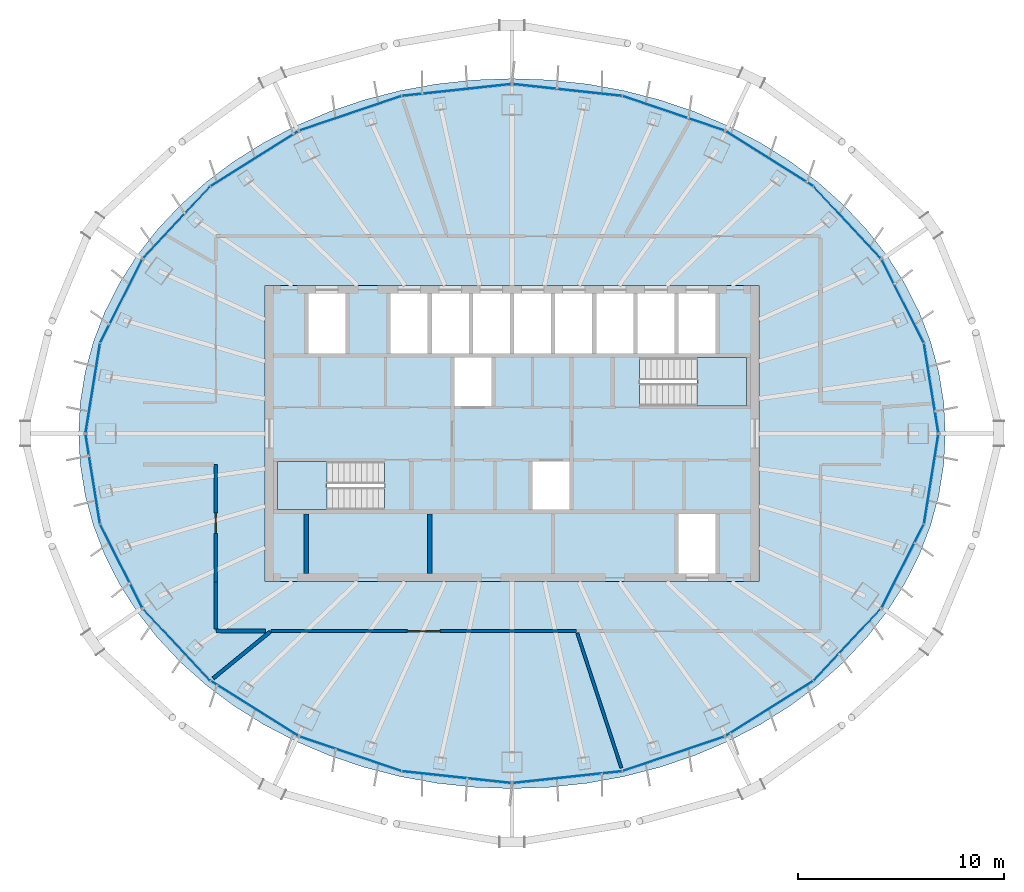
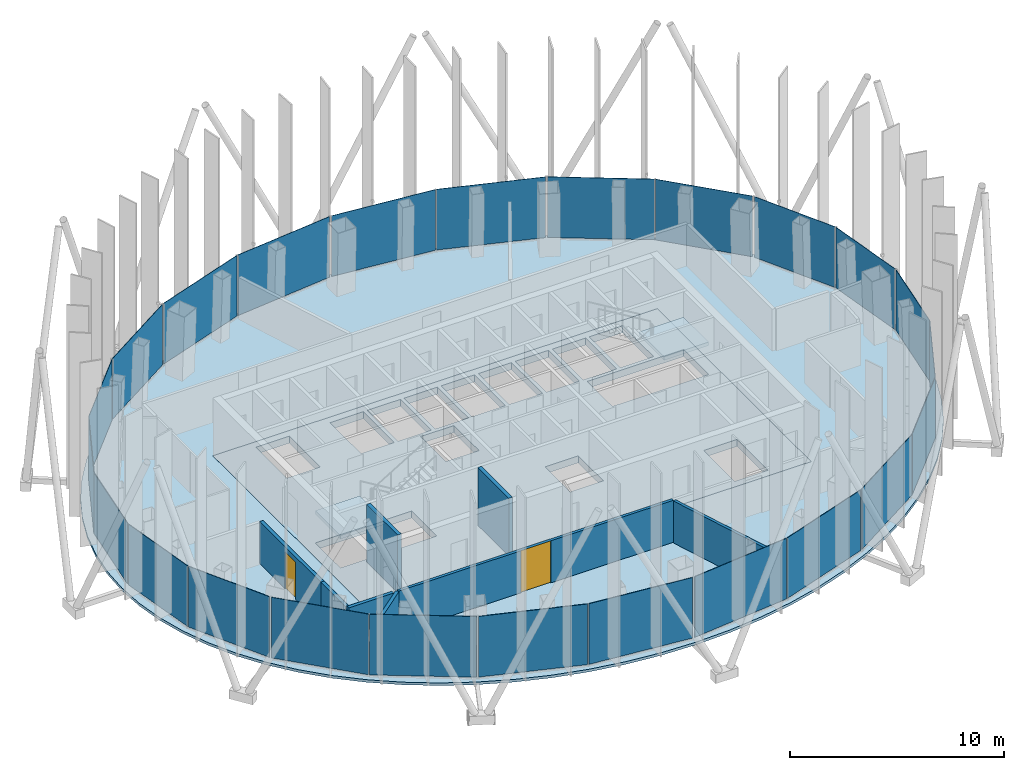
# One storey, part 8 of 19: 24 plates, 8 walls, 4 slabs, 2 doors, 2 openings, 14 elements without a shape of their own.
"""IFC4 building model written with IfcOpenShell, lengths in metres."""

from ifc_helpers import new_model, si_unit, direction, frame, frame_2d, origin, origin_2d, place, context, subcontext, project, spatial, polyline, rectangle, outline, extrude, material, layer, layer_set, type_object, element, fill, aggregate, save


model = new_model("IFC4")

# Units and contexts
model_context = context("Model", 3, precision=1e-05, world=origin(), true_north=direction((0.0, 1.0)))
body_context = subcontext(model_context, "Body", "Model", "MODEL_VIEW")
ifc_project = project(units=[si_unit("LENGTHUNIT", "METRE"), si_unit("AREAUNIT", "SQUARE_METRE"), si_unit("VOLUMEUNIT", "CUBIC_METRE"), si_unit("PLANEANGLEUNIT", "RADIAN"), si_unit("MASSUNIT", "GRAM", prefix="KILO")], contexts=[model_context])

# Site, building, storey
site_placement = place(None, origin())
site = spatial("IfcSite", under=ifc_project, at=site_placement, CompositionType="ELEMENT")
building_placement = place(site_placement, origin())
building = spatial("IfcBuilding", under=site, at=building_placement, Name="Siaravel Broadcast Tower", CompositionType="ELEMENT")
storey_placement = place(building_placement, frame((0.0, 0.0, 250.39990234375)))
storey = spatial("IfcBuildingStorey", under=building, at=storey_placement, Name="L61", CompositionType="ELEMENT", Elevation=250.39990234375)

# Curtain wall, plates
ifc_material_1 = material(Name="Aluminium 6063-T6", Category="aluminium")
ifc_layer_1 = layer(ifc_material_1, 0.159912109375)
ifc_layer_set_1 = layer_set([ifc_layer_1], Name="Aluminium 6063-T6")
curtain_wall_type = type_object("IfcCurtainWallType", Name="Unitised curtain wall, zone 4", PredefinedType="NOTDEFINED", material=ifc_layer_set_1)
curtain_wall_1_placement = place(storey_placement, origin())
curtain_wall_1 = element("IfcCurtainWall", 1, at=curtain_wall_1_placement, inside=storey, type_object=curtain_wall_type, Name="L61 Unitised curtain wall, zone 4 01", PredefinedType="NOTDEFINED")
ifc_material_2 = material(Name="Tinted insulated glass", Category="glass")
ifc_layer_2 = layer(ifc_material_2, 0.02587890625)
ifc_layer_set_2 = layer_set([ifc_layer_2], Name="Tinted insulated glass")
plate_type = type_object("IfcPlateType", Name="CW-Z4 glass panel", PredefinedType="CURTAIN_PANEL", material=ifc_layer_set_2)
plate_1_placement = place(storey_placement, frame((20.377685546875, 2.2138671875, 0.090087890625), z_axis=(0.0, 0.0, 1.0), x_axis=(-0.158684626, 0.987329322, 0.0)))
plate_1 = element("IfcPlate", 2, at=plate_1_placement, type_object=plate_type, Name="CW-Z4 glass panel", PredefinedType="CURTAIN_PANEL", context=body_context, shape_type="SweptSolid", body=[
    extrude(rectangle(XDim=4.37451171875, YDim=0.02587890625, at=origin_2d()), origin(), (0.0, 0.0, 1.0), 3.4599609375),
])
plate_2_placement = place(storey_placement, frame((18.99609375, 6.43798828125, 0.090087890625), z_axis=(0.0, 0.0, 1.0), x_axis=(-0.45125904, 0.892393007, 0.0)))
plate_2 = element("IfcPlate", 3, at=plate_2_placement, type_object=plate_type, Name="CW-Z4 glass panel", PredefinedType="CURTAIN_PANEL", context=body_context, shape_type="SweptSolid", body=[
    extrude(rectangle(XDim=4.51123046875, YDim=0.02587890625, at=origin_2d()), origin(), (0.0, 0.0, 1.0), 3.4599609375),
])
aggregate(curtain_wall_1, [plate_1, plate_2])

curtain_wall_2_placement = place(storey_placement, origin())
curtain_wall_2 = element("IfcCurtainWall", 4, at=curtain_wall_2_placement, inside=storey, type_object=curtain_wall_type, Name="L61 Unitised curtain wall, zone 4 02", PredefinedType="NOTDEFINED")
plate_3_placement = place(storey_placement, frame((16.2958984375, 10.269287109375, 0.090087890625), z_axis=(0.0, 0.0, 1.0), x_axis=(-0.683653541, 0.729806711, 0.0)))
plate_3 = element("IfcPlate", 5, at=plate_3_placement, type_object=plate_type, Name="CW-Z4 glass panel", PredefinedType="CURTAIN_PANEL", context=body_context, shape_type="SweptSolid", body=[
    extrude(rectangle(XDim=4.739013671875, YDim=0.02587890625, at=origin_2d()), origin(), (0.0, 0.0, 1.0), 3.4599609375),
])
plate_4_placement = place(storey_placement, frame((12.521728515625, 13.36083984375, 0.090087890625), z_axis=(0.0, 0.0, 1.0), x_axis=(-0.84664969, 0.532150638, 0.0)))
plate_4 = element("IfcPlate", 6, at=plate_4_placement, type_object=plate_type, Name="CW-Z4 glass panel", PredefinedType="CURTAIN_PANEL", context=body_context, shape_type="SweptSolid", body=[
    extrude(rectangle(XDim=4.9892578125, YDim=0.02587890625, at=origin_2d()), origin(), (0.0, 0.0, 1.0), 3.4599609375),
])
aggregate(curtain_wall_2, [plate_3, plate_4])

curtain_wall_3_placement = place(storey_placement, origin())
curtain_wall_3 = element("IfcCurtainWall", 7, at=curtain_wall_3_placement, inside=storey, type_object=curtain_wall_type, Name="L61 Unitised curtain wall, zone 4 03", PredefinedType="NOTDEFINED")
plate_5_placement = place(storey_placement, frame((7.8505859375, 15.570068359375, 0.090087890625), z_axis=(0.0, 0.0, 1.0), x_axis=(-0.946976923, 0.321301584, 0.0)))
plate_5 = element("IfcPlate", 8, at=plate_5_placement, type_object=plate_type, Name="CW-Z4 glass panel", PredefinedType="CURTAIN_PANEL", context=body_context, shape_type="SweptSolid", body=[
    extrude(rectangle(XDim=5.196533203125, YDim=0.02587890625, at=origin_2d()), origin(), (0.0, 0.0, 1.0), 3.4599609375),
])
plate_6_placement = place(storey_placement, frame((2.69580078125, 16.701416015625, 0.090087890625), z_axis=(0.0, 0.0, 1.0), x_axis=(-0.994235555, 0.107217823, 0.0)))
plate_6 = element("IfcPlate", 9, at=plate_6_placement, type_object=plate_type, Name="CW-Z4 glass panel", PredefinedType="CURTAIN_PANEL", context=body_context, shape_type="SweptSolid", body=[
    extrude(rectangle(XDim=5.3125, YDim=0.02587890625, at=origin_2d()), origin(), (0.0, 0.0, 1.0), 3.4599609375),
])
aggregate(curtain_wall_3, [plate_5, plate_6])

curtain_wall_4_placement = place(storey_placement, origin())
curtain_wall_4 = element("IfcCurtainWall", 10, at=curtain_wall_4_placement, inside=storey, type_object=curtain_wall_type, Name="L61 Unitised curtain wall, zone 4 04", PredefinedType="NOTDEFINED")
plate_7_placement = place(storey_placement, frame((-2.69580078125, 16.701416015625, 0.090087890625), z_axis=(0.0, 0.0, 1.0), x_axis=(-0.994235555, -0.107217823, 0.0)))
plate_7 = element("IfcPlate", 11, at=plate_7_placement, type_object=plate_type, Name="CW-Z4 glass panel", PredefinedType="CURTAIN_PANEL", context=body_context, shape_type="SweptSolid", body=[
    extrude(rectangle(XDim=5.3125, YDim=0.02587890625, at=origin_2d()), origin(), (0.0, 0.0, 1.0), 3.4599609375),
])
plate_8_placement = place(storey_placement, frame((-7.8505859375, 15.570068359375, 0.090087890625), z_axis=(0.0, 0.0, 1.0), x_axis=(-0.946976923, -0.321301584, 0.0)))
plate_8 = element("IfcPlate", 12, at=plate_8_placement, type_object=plate_type, Name="CW-Z4 glass panel", PredefinedType="CURTAIN_PANEL", context=body_context, shape_type="SweptSolid", body=[
    extrude(rectangle(XDim=5.196533203125, YDim=0.02587890625, at=origin_2d()), origin(), (0.0, 0.0, 1.0), 3.4599609375),
])
aggregate(curtain_wall_4, [plate_7, plate_8])

curtain_wall_5_placement = place(storey_placement, origin())
curtain_wall_5 = element("IfcCurtainWall", 13, at=curtain_wall_5_placement, inside=storey, type_object=curtain_wall_type, Name="L61 Unitised curtain wall, zone 4 05", PredefinedType="NOTDEFINED")
plate_9_placement = place(storey_placement, frame((-12.521728515625, 13.36083984375, 0.090087890625), z_axis=(0.0, 0.0, 1.0), x_axis=(-0.84664969, -0.532150638, 0.0)))
plate_9 = element("IfcPlate", 14, at=plate_9_placement, type_object=plate_type, Name="CW-Z4 glass panel", PredefinedType="CURTAIN_PANEL", context=body_context, shape_type="SweptSolid", body=[
    extrude(rectangle(XDim=4.9892578125, YDim=0.02587890625, at=origin_2d()), origin(), (0.0, 0.0, 1.0), 3.4599609375),
])
plate_10_placement = place(storey_placement, frame((-16.2958984375, 10.269287109375, 0.090087890625), z_axis=(0.0, 0.0, 1.0), x_axis=(-0.683653541, -0.729806711, 0.0)))
plate_10 = element("IfcPlate", 15, at=plate_10_placement, type_object=plate_type, Name="CW-Z4 glass panel", PredefinedType="CURTAIN_PANEL", context=body_context, shape_type="SweptSolid", body=[
    extrude(rectangle(XDim=4.739013671875, YDim=0.02587890625, at=origin_2d()), origin(), (0.0, 0.0, 1.0), 3.4599609375),
])
aggregate(curtain_wall_5, [plate_9, plate_10])

curtain_wall_6_placement = place(storey_placement, origin())
curtain_wall_6 = element("IfcCurtainWall", 16, at=curtain_wall_6_placement, inside=storey, type_object=curtain_wall_type, Name="L61 Unitised curtain wall, zone 4 06", PredefinedType="NOTDEFINED")
plate_11_placement = place(storey_placement, frame((-18.99609375, 6.43798828125, 0.090087890625), z_axis=(0.0, 0.0, 1.0), x_axis=(-0.45125904, -0.892393007, 0.0)))
plate_11 = element("IfcPlate", 17, at=plate_11_placement, type_object=plate_type, Name="CW-Z4 glass panel", PredefinedType="CURTAIN_PANEL", context=body_context, shape_type="SweptSolid", body=[
    extrude(rectangle(XDim=4.51123046875, YDim=0.02587890625, at=origin_2d()), origin(), (0.0, 0.0, 1.0), 3.4599609375),
])
plate_12_placement = place(storey_placement, frame((-20.377685546875, 2.2138671875, 0.090087890625), z_axis=(0.0, 0.0, 1.0), x_axis=(-0.158684626, -0.987329322, 0.0)))
plate_12 = element("IfcPlate", 18, at=plate_12_placement, type_object=plate_type, Name="CW-Z4 glass panel", PredefinedType="CURTAIN_PANEL", context=body_context, shape_type="SweptSolid", body=[
    extrude(rectangle(XDim=4.37451171875, YDim=0.02587890625, at=origin_2d()), origin(), (0.0, 0.0, 1.0), 3.4599609375),
])
aggregate(curtain_wall_6, [plate_11, plate_12])

curtain_wall_7_placement = place(storey_placement, origin())
curtain_wall_7 = element("IfcCurtainWall", 19, at=curtain_wall_7_placement, inside=storey, type_object=curtain_wall_type, Name="L61 Unitised curtain wall, zone 4 07", PredefinedType="NOTDEFINED")
plate_13_placement = place(storey_placement, frame((-20.377685546875, -2.2138671875, 0.090087890625), z_axis=(0.0, 0.0, 1.0), x_axis=(0.158684626, -0.987329322, 0.0)))
plate_13 = element("IfcPlate", 20, at=plate_13_placement, type_object=plate_type, Name="CW-Z4 glass panel", PredefinedType="CURTAIN_PANEL", context=body_context, shape_type="SweptSolid", body=[
    extrude(rectangle(XDim=4.37451171875, YDim=0.02587890625, at=origin_2d()), origin(), (0.0, 0.0, 1.0), 3.4599609375),
])
plate_14_placement = place(storey_placement, frame((-18.99609375, -6.43798828125, 0.090087890625), z_axis=(0.0, 0.0, 1.0), x_axis=(0.45125904, -0.892393007, 0.0)))
plate_14 = element("IfcPlate", 21, at=plate_14_placement, type_object=plate_type, Name="CW-Z4 glass panel", PredefinedType="CURTAIN_PANEL", context=body_context, shape_type="SweptSolid", body=[
    extrude(rectangle(XDim=4.51123046875, YDim=0.02587890625, at=origin_2d()), origin(), (0.0, 0.0, 1.0), 3.4599609375),
])
aggregate(curtain_wall_7, [plate_13, plate_14])

curtain_wall_8_placement = place(storey_placement, origin())
curtain_wall_8 = element("IfcCurtainWall", 22, at=curtain_wall_8_placement, inside=storey, type_object=curtain_wall_type, Name="L61 Unitised curtain wall, zone 4 08", PredefinedType="NOTDEFINED")
plate_15_placement = place(storey_placement, frame((-16.2958984375, -10.269287109375, 0.090087890625), z_axis=(0.0, 0.0, 1.0), x_axis=(0.683653541, -0.729806711, 0.0)))
plate_15 = element("IfcPlate", 23, at=plate_15_placement, type_object=plate_type, Name="CW-Z4 glass panel", PredefinedType="CURTAIN_PANEL", context=body_context, shape_type="SweptSolid", body=[
    extrude(rectangle(XDim=4.739013671875, YDim=0.02587890625, at=origin_2d()), origin(), (0.0, 0.0, 1.0), 3.4599609375),
])
plate_16_placement = place(storey_placement, frame((-12.521728515625, -13.36083984375, 0.090087890625), z_axis=(0.0, 0.0, 1.0), x_axis=(0.84664969, -0.532150638, 0.0)))
plate_16 = element("IfcPlate", 24, at=plate_16_placement, type_object=plate_type, Name="CW-Z4 glass panel", PredefinedType="CURTAIN_PANEL", context=body_context, shape_type="SweptSolid", body=[
    extrude(rectangle(XDim=4.9892578125, YDim=0.02587890625, at=origin_2d()), origin(), (0.0, 0.0, 1.0), 3.4599609375),
])
aggregate(curtain_wall_8, [plate_15, plate_16])

curtain_wall_9_placement = place(storey_placement, origin())
curtain_wall_9 = element("IfcCurtainWall", 25, at=curtain_wall_9_placement, inside=storey, type_object=curtain_wall_type, Name="L61 Unitised curtain wall, zone 4 09", PredefinedType="NOTDEFINED")
plate_17_placement = place(storey_placement, frame((-7.8505859375, -15.570068359375, 0.090087890625), z_axis=(0.0, 0.0, 1.0), x_axis=(0.946976923, -0.321301584, 0.0)))
plate_17 = element("IfcPlate", 26, at=plate_17_placement, type_object=plate_type, Name="CW-Z4 glass panel", PredefinedType="CURTAIN_PANEL", context=body_context, shape_type="SweptSolid", body=[
    extrude(rectangle(XDim=5.196533203125, YDim=0.02587890625, at=origin_2d()), origin(), (0.0, 0.0, 1.0), 3.4599609375),
])
plate_18_placement = place(storey_placement, frame((-2.69580078125, -16.701416015625, 0.090087890625), z_axis=(0.0, 0.0, 1.0), x_axis=(0.994235555, -0.107217823, 0.0)))
plate_18 = element("IfcPlate", 27, at=plate_18_placement, type_object=plate_type, Name="CW-Z4 glass panel", PredefinedType="CURTAIN_PANEL", context=body_context, shape_type="SweptSolid", body=[
    extrude(rectangle(XDim=5.3125, YDim=0.02587890625, at=origin_2d()), origin(), (0.0, 0.0, 1.0), 3.4599609375),
])
aggregate(curtain_wall_9, [plate_17, plate_18])

curtain_wall_10_placement = place(storey_placement, origin())
curtain_wall_10 = element("IfcCurtainWall", 28, at=curtain_wall_10_placement, inside=storey, type_object=curtain_wall_type, Name="L61 Unitised curtain wall, zone 4 10", PredefinedType="NOTDEFINED")
plate_19_placement = place(storey_placement, frame((2.69580078125, -16.701416015625, 0.090087890625), z_axis=(0.0, 0.0, 1.0), x_axis=(0.994235555, 0.107217823, 0.0)))
plate_19 = element("IfcPlate", 29, at=plate_19_placement, type_object=plate_type, Name="CW-Z4 glass panel", PredefinedType="CURTAIN_PANEL", context=body_context, shape_type="SweptSolid", body=[
    extrude(rectangle(XDim=5.3125, YDim=0.02587890625, at=origin_2d()), origin(), (0.0, 0.0, 1.0), 3.4599609375),
])
plate_20_placement = place(storey_placement, frame((7.8505859375, -15.570068359375, 0.090087890625), z_axis=(0.0, 0.0, 1.0), x_axis=(0.946976923, 0.321301584, 0.0)))
plate_20 = element("IfcPlate", 30, at=plate_20_placement, type_object=plate_type, Name="CW-Z4 glass panel", PredefinedType="CURTAIN_PANEL", context=body_context, shape_type="SweptSolid", body=[
    extrude(rectangle(XDim=5.196533203125, YDim=0.02587890625, at=origin_2d()), origin(), (0.0, 0.0, 1.0), 3.4599609375),
])
aggregate(curtain_wall_10, [plate_19, plate_20])

curtain_wall_11_placement = place(storey_placement, origin())
curtain_wall_11 = element("IfcCurtainWall", 31, at=curtain_wall_11_placement, inside=storey, type_object=curtain_wall_type, Name="L61 Unitised curtain wall, zone 4 11", PredefinedType="NOTDEFINED")
plate_21_placement = place(storey_placement, frame((12.521728515625, -13.36083984375, 0.090087890625), z_axis=(0.0, 0.0, 1.0), x_axis=(0.84664969, 0.532150638, 0.0)))
plate_21 = element("IfcPlate", 32, at=plate_21_placement, type_object=plate_type, Name="CW-Z4 glass panel", PredefinedType="CURTAIN_PANEL", context=body_context, shape_type="SweptSolid", body=[
    extrude(rectangle(XDim=4.9892578125, YDim=0.02587890625, at=origin_2d()), origin(), (0.0, 0.0, 1.0), 3.4599609375),
])
plate_22_placement = place(storey_placement, frame((16.2958984375, -10.269287109375, 0.090087890625), z_axis=(0.0, 0.0, 1.0), x_axis=(0.683653541, 0.729806711, 0.0)))
plate_22 = element("IfcPlate", 33, at=plate_22_placement, type_object=plate_type, Name="CW-Z4 glass panel", PredefinedType="CURTAIN_PANEL", context=body_context, shape_type="SweptSolid", body=[
    extrude(rectangle(XDim=4.739013671875, YDim=0.02587890625, at=origin_2d()), origin(), (0.0, 0.0, 1.0), 3.4599609375),
])
aggregate(curtain_wall_11, [plate_21, plate_22])

curtain_wall_12_placement = place(storey_placement, origin())
curtain_wall_12 = element("IfcCurtainWall", 34, at=curtain_wall_12_placement, inside=storey, type_object=curtain_wall_type, Name="L61 Unitised curtain wall, zone 4 12", PredefinedType="NOTDEFINED")
plate_23_placement = place(storey_placement, frame((18.99609375, -6.43798828125, 0.090087890625), z_axis=(0.0, 0.0, 1.0), x_axis=(0.45125904, 0.892393007, 0.0)))
plate_23 = element("IfcPlate", 35, at=plate_23_placement, type_object=plate_type, Name="CW-Z4 glass panel", PredefinedType="CURTAIN_PANEL", context=body_context, shape_type="SweptSolid", body=[
    extrude(rectangle(XDim=4.51123046875, YDim=0.02587890625, at=origin_2d()), origin(), (0.0, 0.0, 1.0), 3.4599609375),
])
plate_24_placement = place(storey_placement, frame((20.377685546875, -2.2138671875, 0.090087890625), z_axis=(0.0, 0.0, 1.0), x_axis=(0.158684626, 0.987329322, 0.0)))
plate_24 = element("IfcPlate", 36, at=plate_24_placement, type_object=plate_type, Name="CW-Z4 glass panel", PredefinedType="CURTAIN_PANEL", context=body_context, shape_type="SweptSolid", body=[
    extrude(rectangle(XDim=4.37451171875, YDim=0.02587890625, at=origin_2d()), origin(), (0.0, 0.0, 1.0), 3.4599609375),
])
aggregate(curtain_wall_12, [plate_23, plate_24])

# Slabs
ifc_material_3 = material(Name="Concrete C40/50", Category="concrete")
ifc_layer_3 = layer(ifc_material_3, 0.39990234375)
ifc_layer_set_3 = layer_set([ifc_layer_3], Name="Concrete C40/50")
slab_type_1 = type_object("IfcSlabType", Name="Core floor slab 400", PredefinedType="FLOOR", material=ifc_layer_set_3)
slab_1_placement = place(storey_placement, frame((0.0, 0.0, -0.39990234375)))
element("IfcSlab", 37, at=slab_1_placement, inside=storey, type_object=slab_type_1, Name="L61 core floor", PredefinedType="FLOOR", context=body_context, shape_type="SweptSolid", body=[
    extrude(outline(polyline([(-12.0, -7.199951171875), (-12.0, 7.199951171875), (12.0, 7.199951171875), (12.0, -7.199951171875), (-12.0, -7.199951171875)]), holes=[polyline([(11.3994140625, 1.3505859375), (11.3994140625, 3.699462890625), (6.200439453125, 3.699462890625), (6.200439453125, 1.3505859375), (11.3994140625, 1.3505859375)]), polyline([(8.10009765625, -3.89990234375), (8.10009765625, -6.800048828125), (9.89990234375, -6.800048828125), (9.89990234375, -3.89990234375), (8.10009765625, -3.89990234375)]), polyline([(9.89990234375, 6.800048828125), (8.10009765625, 6.800048828125), (8.10009765625, 3.89990234375), (9.89990234375, 3.89990234375), (9.89990234375, 6.800048828125)]), polyline([(7.89990234375, 6.800048828125), (6.10009765625, 6.800048828125), (6.10009765625, 3.89990234375), (7.89990234375, 3.89990234375), (7.89990234375, 6.800048828125)]), polyline([(5.89990234375, 6.800048828125), (4.10009765625, 6.800048828125), (4.10009765625, 3.89990234375), (5.89990234375, 3.89990234375), (5.89990234375, 6.800048828125)]), polyline([(3.89990234375, 6.800048828125), (2.10009765625, 6.800048828125), (2.10009765625, 3.89990234375), (3.89990234375, 3.89990234375), (3.89990234375, 6.800048828125)]), polyline([(2.800048828125, -1.35009765625), (1.0, -1.35009765625), (1.0, -3.699951171875), (2.800048828125, -3.699951171875), (2.800048828125, -1.35009765625)]), polyline([(1.89990234375, 6.800048828125), (0.10009765625, 6.800048828125), (0.10009765625, 3.89990234375), (1.89990234375, 3.89990234375), (1.89990234375, 6.800048828125)]), polyline([(-0.10009765625, 6.800048828125), (-1.89990234375, 6.800048828125), (-1.89990234375, 3.89990234375), (-0.10009765625, 3.89990234375), (-0.10009765625, 6.800048828125)]), polyline([(-1.0, 3.699951171875), (-2.800048828125, 3.699951171875), (-2.800048828125, 1.35009765625), (-1.0, 1.35009765625), (-1.0, 3.699951171875)]), polyline([(-2.10009765625, 6.800048828125), (-3.89990234375, 6.800048828125), (-3.89990234375, 3.89990234375), (-2.10009765625, 3.89990234375), (-2.10009765625, 6.800048828125)]), polyline([(-4.10009765625, 6.800048828125), (-5.89990234375, 6.800048828125), (-5.89990234375, 3.89990234375), (-4.10009765625, 3.89990234375), (-4.10009765625, 6.800048828125)]), polyline([(-11.3994140625, -3.699462890625), (-6.200439453125, -3.699462890625), (-6.200439453125, -1.3505859375), (-11.3994140625, -1.3505859375), (-11.3994140625, -3.699462890625)]), polyline([(-8.10009765625, 6.800048828125), (-9.89990234375, 6.800048828125), (-9.89990234375, 3.89990234375), (-8.10009765625, 3.89990234375), (-8.10009765625, 6.800048828125)])]), origin(), (0.0, 0.0, 1.0), 0.39990234375),
])
ifc_layer_4 = layer(ifc_material_3, 0.14990234375)
ifc_layer_set_4 = layer_set([ifc_layer_4], Name="Concrete C40/50")
slab_type_2 = type_object("IfcSlabType", Name="SLB-FLOOR-150", PredefinedType="FLOOR", material=ifc_layer_set_4)
slab_2_placement = place(storey_placement, frame((0.0, 0.0, -0.14990234375)))
element("IfcSlab", 38, at=slab_2_placement, inside=storey, type_object=slab_type_2, Name="Floor slab", PredefinedType="FLOOR", context=body_context, shape_type="SweptSolid", body=[
    extrude(outline(polyline([(21.06787109375, 0.0), (20.987548828125, 1.50390625), (20.747802734375, 2.99658203125), (20.349853515625, 4.46630859375), (19.79736328125, 5.902099609375), (19.093994140625, 7.293212890625), (18.245361328125, 8.62841796875), (17.2578125, 9.898193359375), (16.138916015625, 11.092529296875), (14.897216796875, 12.202392578125), (13.5419921875, 13.219482421875), (12.083984375, 14.135986328125), (10.533935546875, 14.94482421875), (8.903564453125, 15.64013671875), (7.20556640625, 16.21630859375), (5.45263671875, 16.6689453125), (3.658447265625, 16.99462890625), (1.836181640625, 17.191162109375), (0.0, 17.2568359375), (-1.836181640625, 17.191162109375), (-3.658447265625, 16.99462890625), (-5.45263671875, 16.6689453125), (-7.20556640625, 16.21630859375), (-8.903564453125, 15.64013671875), (-10.533935546875, 14.94482421875), (-12.083984375, 14.135986328125), (-13.5419921875, 13.219482421875), (-14.897216796875, 12.202392578125), (-16.138916015625, 11.092529296875), (-17.2578125, 9.898193359375), (-18.245361328125, 8.62841796875), (-19.093994140625, 7.293212890625), (-19.79736328125, 5.902099609375), (-20.349853515625, 4.46630859375), (-20.747802734375, 2.99658203125), (-20.987548828125, 1.50390625), (-21.06787109375, 0.0), (-20.987548828125, -1.50390625), (-20.747802734375, -2.99658203125), (-20.349853515625, -4.46630859375), (-19.79736328125, -5.902099609375), (-19.093994140625, -7.293212890625), (-18.245361328125, -8.62841796875), (-17.2578125, -9.898193359375), (-16.138916015625, -11.092529296875), (-14.897216796875, -12.202392578125), (-13.5419921875, -13.219482421875), (-12.083984375, -14.135986328125), (-10.533935546875, -14.94482421875), (-8.903564453125, -15.64013671875), (-7.20556640625, -16.21630859375), (-5.45263671875, -16.6689453125), (-3.658447265625, -16.99462890625), (-1.836181640625, -17.191162109375), (0.0, -17.2568359375), (1.836181640625, -17.191162109375), (3.658447265625, -16.99462890625), (5.45263671875, -16.6689453125), (7.20556640625, -16.21630859375), (8.903564453125, -15.64013671875), (10.533935546875, -14.94482421875), (12.083984375, -14.135986328125), (13.5419921875, -13.219482421875), (14.897216796875, -12.202392578125), (16.138916015625, -11.092529296875), (17.2578125, -9.898193359375), (18.245361328125, -8.62841796875), (19.093994140625, -7.293212890625), (19.79736328125, -5.902099609375), (20.349853515625, -4.46630859375), (20.747802734375, -2.99658203125), (20.987548828125, -1.50390625), (21.06787109375, 0.0)]), holes=[polyline([(-12.0, 7.199951171875), (12.0, 7.199951171875), (12.0, -7.199951171875), (-12.0, -7.199951171875), (-12.0, 7.199951171875)])]), origin(), (0.0, 0.0, 1.0), 0.14990234375),
])

# Stair, slab
stair_type = type_object("IfcStairType", Name="Core exit stair", PredefinedType="HALF_TURN_STAIR", material=ifc_material_3)
stair_1_placement = place(storey_placement, origin())
stair_1 = element("IfcStair", 39, at=stair_1_placement, inside=storey, type_object=stair_type, Name="L61 Exit stair ST-1", PredefinedType="HALF_TURN_STAIR")
ifc_layer_5 = layer(ifc_material_3, 0.199951171875)
ifc_layer_set_5 = layer_set([ifc_layer_5], Name="Concrete C40/50")
slab_type_3 = type_object("IfcSlabType", Name="Stair landing", PredefinedType="LANDING", material=ifc_layer_set_5)
slab_3_placement = place(storey_placement, frame((0.0, 0.0, 1.650146484375)))
slab_3 = element("IfcSlab", 40, at=slab_3_placement, type_object=slab_type_3, Name="ST-1 landing 1", PredefinedType="LANDING", context=body_context, shape_type="SweptSolid", body=[
    extrude(outline(polyline([(-9.0, -1.35009765625), (-11.39990234375, -1.35009765625), (-11.39990234375, -3.699951171875), (-9.0, -3.699951171875), (-9.0, -1.35009765625)])), origin(), (0.0, 0.0, 1.0), 0.199951171875),
])
aggregate(stair_1, [slab_3])

stair_2_placement = place(storey_placement, origin())
stair_2 = element("IfcStair", 41, at=stair_2_placement, inside=storey, type_object=stair_type, Name="L61 Exit stair ST-2", PredefinedType="HALF_TURN_STAIR")
slab_4_placement = place(storey_placement, frame((0.0, 0.0, 1.650146484375)))
slab_4 = element("IfcSlab", 42, at=slab_4_placement, type_object=slab_type_3, Name="ST-2 landing 1", PredefinedType="LANDING", context=body_context, shape_type="SweptSolid", body=[
    extrude(outline(polyline([(9.0, 1.35009765625), (11.39990234375, 1.35009765625), (11.39990234375, 3.699951171875), (9.0, 3.699951171875), (9.0, 1.35009765625)])), origin(), (0.0, 0.0, 1.0), 0.199951171875),
])
aggregate(stair_2, [slab_4])

# Wall
ifc_material_4 = material(Name="Concrete blockwork", Category="masonry")
ifc_layer_6 = layer(ifc_material_4, 0.199951171875)
ifc_layer_set_6 = layer_set([ifc_layer_6], Name="Concrete blockwork")
wall_type_1 = type_object("IfcWallType", Name="Core partition 200", PredefinedType="PARTITIONING", material=ifc_layer_set_6)
wall_1_placement = place(storey_placement, frame((-4.0, -6.800048828125, 0.0), z_axis=(0.0, 0.0, 1.0), x_axis=(0.0, 1.0, 0.0)))
element("IfcWall", 43, at=wall_1_placement, inside=storey, type_object=wall_type_1, Name="L61 core partition PFS0", PredefinedType="PARTITIONING", context=body_context, shape_type="SweptSolid", body=[
    extrude(rectangle(XDim=2.900146484375, YDim=0.199951171875, at=frame_2d((1.4501953125, 0.0))), origin(), (0.0, 0.0, 1.0), 3.300048828125),
])

# Wall, opening, door
ifc_material_5 = material(Name="Gypsum board partition", Category="gypsum")
ifc_layer_7 = layer(ifc_material_5, 0.14990234375)
ifc_layer_set_7 = layer_set([ifc_layer_7], Name="Gypsum board partition")
wall_type_2 = type_object("IfcWallType", Name="Corridor wall 150", PredefinedType="PARTITIONING", material=ifc_layer_set_7)
wall_2_placement = place(storey_placement, frame((-11.719970703125, -9.60009765625, 0.0), z_axis=(0.0, 0.0, 1.0), x_axis=(1.0, 0.0, 0.0)))
wall_2 = element("IfcWall", 44, at=wall_2_placement, inside=storey, type_object=wall_type_2, Name="L61 partition 1", PredefinedType="PARTITIONING", context=body_context, shape_type="SweptSolid", body=[
    extrude(rectangle(XDim=14.8603515625, YDim=0.14990234375, at=frame_2d((7.43017578125, 0.0))), origin(), (0.0, 0.0, 1.0), 2.400146484375),
])
opening_1_placement = place(wall_2_placement, frame((6.630126953125, 0.0, 0.0)))
opening_1 = element("IfcOpeningElement", 45, at=opening_1_placement, cuts=wall_2, Name="Opening L61-002", PredefinedType="OPENING", context=body_context, shape_type="SweptSolid", body=[
    extrude(rectangle(XDim=1.60009765625, YDim=2.39990234375, at=frame_2d((0.800048828125, 1.199951171875))), frame((0.0, 0.0849609375, 0.0), z_axis=(0.0, -1.0, 0.0), x_axis=(1.0, 0.0, 0.0)), (0.0, 0.0, 1.0), 0.169921875),
])
ifc_material_6 = material(Name="Timber veneer", Category="wood")
door_type_1 = type_object("IfcDoorType", Name="Restaurant double door 1600", OperationType="DOUBLE_DOOR_SINGLE_SWING", PredefinedType="DOOR", material=ifc_material_6)
door_1_placement = place(opening_1_placement, origin())
door_1 = element("IfcDoor", 46, at=door_1_placement, inside=storey, type_object=door_type_1, Name="L61 door to Restaurant", OperationType="DOUBLE_DOOR_SINGLE_SWING", OverallHeight=2.39990234375, OverallWidth=1.60009765625, PredefinedType="DOOR", context=body_context, shape_type="SweptSolid", body=[
    extrude(rectangle(XDim=1.60009765625, YDim=2.39990234375, at=frame_2d((0.800048828125, 1.199951171875))), frame((0.0, 0.02490234375, 0.0), z_axis=(0.0, -1.0, 0.0), x_axis=(1.0, 0.0, 0.0)), (0.0, 0.0, 1.0), 0.050048828125),
])
fill(opening_1, door_1)

# Wall
ifc_layer_8 = layer(ifc_material_5, 0.14990234375)
ifc_layer_set_8 = layer_set([ifc_layer_8], Name="Gypsum board partition")
wall_type_3 = type_object("IfcWallType", Name="Room partition 150", PredefinedType="PARTITIONING", material=ifc_layer_set_8)
wall_3_placement = place(storey_placement, frame((5.31591796875, -16.250732421875, 0.0), z_axis=(0.0, 0.0, 1.0), x_axis=(-0.310909328, 0.950439577, 0.0)))
element("IfcWall", 47, at=wall_3_placement, inside=storey, type_object=wall_type_3, Name="L61 partition 7", PredefinedType="PARTITIONING", context=body_context, shape_type="SweptSolid", body=[
    extrude(rectangle(XDim=6.89208984375, YDim=0.14990234375, at=frame_2d((3.446044921875, 0.0))), origin(), (0.0, 0.0, 1.0), 2.400146484375),
])

# Wall, opening, door
ifc_layer_9 = layer(ifc_material_4, 0.179931640625)
ifc_layer_set_9 = layer_set([ifc_layer_9], Name="Concrete blockwork")
wall_type_4 = type_object("IfcWallType", Name="Service room fire partition 180", PredefinedType="PARTITIONING", material=ifc_layer_set_9)
wall_4_placement = place(storey_placement, frame((-14.39990234375, -1.5, 0.0), z_axis=(0.0, 0.0, 1.0), x_axis=(0.0, -1.0, 0.0)))
wall_4 = element("IfcWall", 48, at=wall_4_placement, inside=storey, type_object=wall_type_4, Name="L61 partition 9", PredefinedType="PARTITIONING", context=body_context, shape_type="SweptSolid", body=[
    extrude(rectangle(XDim=5.7119140625, YDim=0.179931640625, at=frame_2d((2.85595703125, 0.0))), origin(), (0.0, 0.0, 1.0), 2.400146484375),
])
opening_2_placement = place(wall_4_placement, frame((2.35595703125, 0.0, 0.0)))
opening_2 = element("IfcOpeningElement", 49, at=opening_2_placement, cuts=wall_4, Name="Opening L61-001", PredefinedType="OPENING", context=body_context, shape_type="SweptSolid", body=[
    extrude(rectangle(XDim=1.0, YDim=2.10009765625, at=frame_2d((0.5, 1.050048828125))), frame((0.0, 0.099853515625, 0.0), z_axis=(0.0, -1.0, 0.0), x_axis=(1.0, 0.0, 0.0)), (0.0, 0.0, 1.0), 0.199951171875),
])
ifc_material_7 = material(Name="Steel", Category="steel")
door_type_2 = type_object("IfcDoorType", Name="Service room door 1000", OperationType="SINGLE_SWING_LEFT", PredefinedType="DOOR", material=ifc_material_7)
door_2_placement = place(opening_2_placement, origin())
door_2 = element("IfcDoor", 50, at=door_2_placement, inside=storey, type_object=door_type_2, Name="L61 door to Library", OperationType="SINGLE_SWING_LEFT", OverallHeight=2.10009765625, OverallWidth=1.0, PredefinedType="DOOR", context=body_context, shape_type="SweptSolid", body=[
    extrude(rectangle(XDim=1.0, YDim=2.10009765625, at=frame_2d((0.5, 1.050048828125))), frame((0.0, 0.02490234375, 0.0), z_axis=(0.0, -1.0, 0.0), x_axis=(1.0, 0.0, 0.0)), (0.0, 0.0, 1.0), 0.050048828125),
])
fill(opening_2, door_2)

# Walls
wall_5_placement = place(storey_placement, frame((-14.530029296875, -11.901611328125, 0.0), z_axis=(0.0, 0.0, 1.0), x_axis=(0.773617152, 0.633653298, 0.0)))
element("IfcWall", 51, at=wall_5_placement, inside=storey, type_object=wall_type_4, Name="L61 partition 13", PredefinedType="PARTITIONING", context=body_context, shape_type="SweptSolid", body=[
    extrude(rectangle(XDim=3.582763671875, YDim=0.179931640625, at=frame_2d((1.79150390625, 0.0))), origin(), (0.0, 0.0, 1.0), 2.400146484375),
])
wall_6_placement = place(storey_placement, frame((-14.39990234375, -9.60009765625, 0.0), z_axis=(0.0, 0.0, 1.0), x_axis=(1.0, 0.0, 0.0)))
element("IfcWall", 52, at=wall_6_placement, inside=storey, type_object=wall_type_4, Name="L61 partition 21", PredefinedType="PARTITIONING", context=body_context, shape_type="SweptSolid", body=[
    extrude(rectangle(XDim=2.426025390625, YDim=0.179931640625, at=frame_2d((1.212890625, 0.0))), origin(), (0.0, 0.0, 1.0), 2.400146484375),
])
wall_7_placement = place(storey_placement, frame((-14.39990234375, -7.212890625, 0.0), z_axis=(0.0, 0.0, 1.0), x_axis=(0.0, -1.0, 0.0)))
element("IfcWall", 53, at=wall_7_placement, inside=storey, type_object=wall_type_4, Name="L61 partition 24", PredefinedType="PARTITIONING", context=body_context, shape_type="SweptSolid", body=[
    extrude(rectangle(XDim=2.295166015625, YDim=0.179931640625, at=frame_2d((1.1474609375, 0.0))), origin(), (0.0, 0.0, 1.0), 2.400146484375),
])
ifc_material_8 = material(Name="Concrete C60/75", Category="concrete")
ifc_layer_10 = layer(ifc_material_8, 0.199951171875)
ifc_layer_set_10 = layer_set([ifc_layer_10], Name="Concrete C60/75")
wall_type_5 = type_object("IfcWallType", Name="Shaft wall 200", PredefinedType="SHEAR", material=ifc_layer_set_10)
wall_8_placement = place(storey_placement, frame((-10.0, -6.800048828125, 0.0), z_axis=(0.0, 0.0, 1.0), x_axis=(0.0, 1.0, 0.0)))
element("IfcWall", 54, at=wall_8_placement, inside=storey, type_object=wall_type_5, Name="L61 core wall SWS0", PredefinedType="SHEAR", context=body_context, shape_type="SweptSolid", body=[
    extrude(rectangle(XDim=2.900146484375, YDim=0.199951171875, at=frame_2d((1.4501953125, 0.0))), origin(), (0.0, 0.0, 1.0), 3.300048828125),
])

save(model, "model.ifc")
